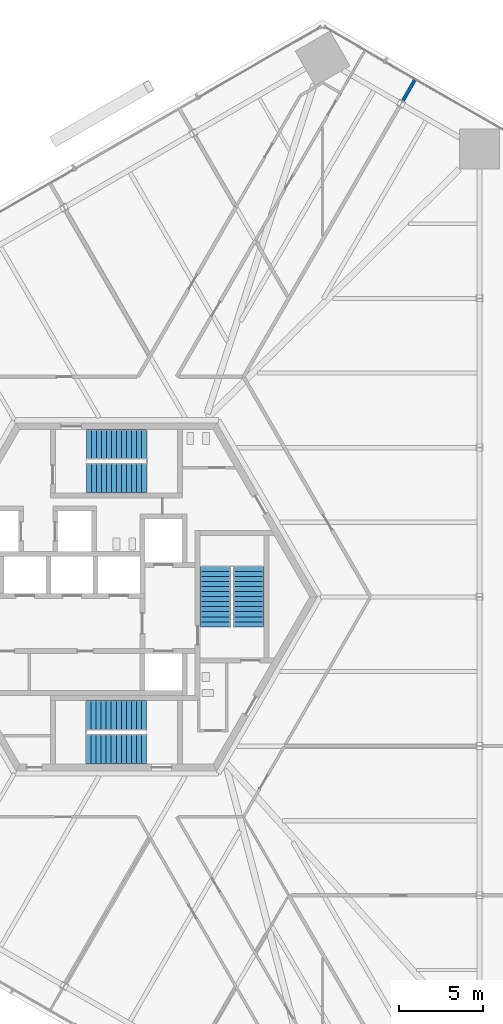
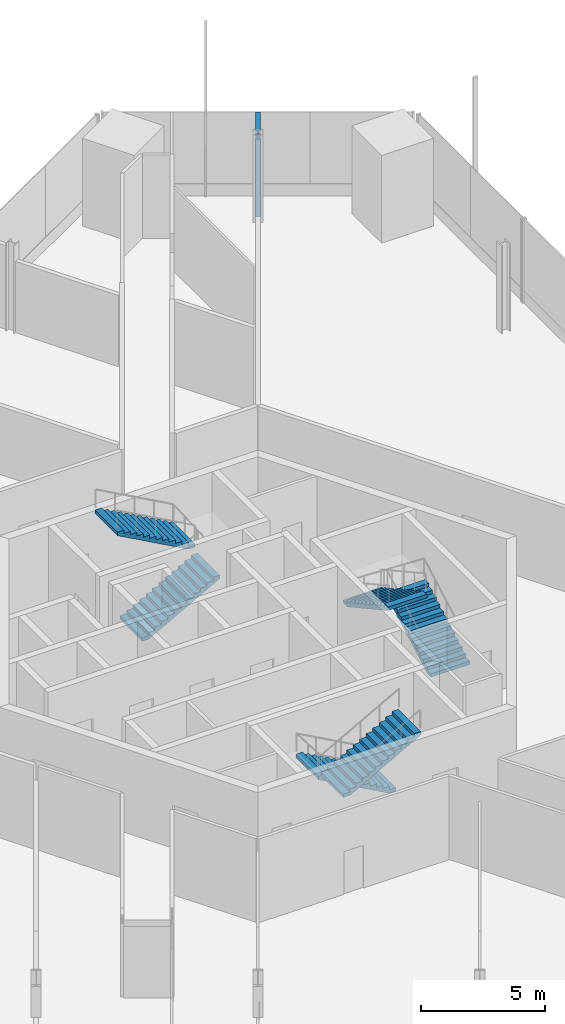
# One storey, part 14 of 19: 6 stair flights, 1 wall, 3 elements without a shape of their own.
"""IFC4 building model written with IfcOpenShell, lengths in metres."""

from ifc_helpers import new_model, si_unit, direction, frame, frame_2d, origin, place, context, subcontext, project, spatial, polyline, rectangle, outline, extrude, source, transform, mapped, material, layer, layer_set, type_object, element, aggregate, save


model = new_model("IFC4")

# Units and contexts
model_context = context("Model", 3, precision=1e-05, world=origin(), true_north=direction((0.0, 1.0)))
body_context = subcontext(model_context, "Body", "Model", "MODEL_VIEW")
ifc_project = project(units=[si_unit("LENGTHUNIT", "METRE"), si_unit("AREAUNIT", "SQUARE_METRE"), si_unit("VOLUMEUNIT", "CUBIC_METRE"), si_unit("PLANEANGLEUNIT", "RADIAN"), si_unit("MASSUNIT", "GRAM", prefix="KILO")], contexts=[model_context])

# Site, building, storey
site_placement = place(None, origin())
site = spatial("IfcSite", under=ifc_project, at=site_placement, CompositionType="ELEMENT")
building_placement = place(site_placement, origin())
building = spatial("IfcBuilding", under=site, at=building_placement, Name="Triune Harvest Tower", CompositionType="ELEMENT")
storey_placement = place(building_placement, frame((0.0, 0.0, 41.800048828125)))
storey = spatial("IfcBuildingStorey", under=building, at=storey_placement, Name="L09", CompositionType="ELEMENT", Elevation=41.800048828125)

# Wall
ifc_material_1 = material(Name="Gypsum board on steel studs", Category="steel")
ifc_layer = layer(ifc_material_1, 0.199951171875)
ifc_layer_set = layer_set([ifc_layer], Name="Gypsum board on steel studs")
wall_type = type_object("IfcWallType", Name="Fire Wall 200 mm", PredefinedType="PARTITIONING", material=ifc_layer_set)
shared_shape_1 = source(origin(), body_context, "Body", "SweptSolid", [
    extrude(rectangle(XDim=1.498779296875, YDim=0.199951171875, at=frame_2d((0.74951171875, 0.0))), origin(), (0.0, 0.0, 1.0), 4.099853515625),
])
wall_placement = place(storey_placement, frame((17.0908203125, 29.602294921875, 0.0), z_axis=(0.0, 0.0, 1.0), x_axis=(0.499905760005, 0.866079806435, 0.0)))
element("IfcWall", 1, at=wall_placement, inside=storey, type_object=wall_type, Name="Partition L09 048", PredefinedType="PARTITIONING", context=body_context, shape_type="MappedRepresentation", body=[
    mapped(shared_shape_1, transform((0.0, 0.0, 0.0), scale=1.0)),
])

# Stair, stair flights
ifc_material_2 = material(Name="Concrete 40 MPa", Category="concrete")
stair_type = type_object("IfcStairType", Name="Exit stair 1800 half turn", PredefinedType="HALF_TURN_STAIR", material=ifc_material_2)
stair_1_placement = place(storey_placement, origin())
stair_1 = element("IfcStair", 2, at=stair_1_placement, inside=storey, type_object=stair_type, Name="Exit stair north", PredefinedType="HALF_TURN_STAIR")
ifc_material_3 = material(Name="Concrete 40 MPa", Category="concrete")
stair_flight_type = type_object("IfcStairFlightType", Name="Stair flight 1800", PredefinedType="STRAIGHT", material=ifc_material_3)
shared_shape_2 = source(origin(), body_context, "Body", "SweptSolid", [
    extrude(outline(polyline([(0.0, 0.0), (0.0, 0.165283203125), (0.300048828125, 0.165283203125), (0.300048828125, 0.330810546875), (0.60009765625, 0.330810546875), (0.60009765625, 0.49609375), (0.89990234375, 0.49609375), (0.89990234375, 0.66162109375), (1.199951171875, 0.66162109375), (1.199951171875, 0.826904296875), (1.5, 0.826904296875), (1.5, 0.9921875), (1.800048828125, 0.9921875), (1.800048828125, 1.15771484375), (2.10009765625, 1.15771484375), (2.10009765625, 1.322998046875), (2.39990234375, 1.322998046875), (2.39990234375, 1.488525390625), (2.699951171875, 1.488525390625), (2.699951171875, 1.65380859375), (3.0, 1.65380859375), (3.0, 1.819091796875), (3.300048828125, 1.819091796875), (3.300048828125, 1.984619140625), (3.60009765625, 1.984619140625), (3.60009765625, 2.14990234375), (3.60009765625, 1.8134765625), (0.310546875, 0.0), (0.0, 0.0)])), frame((0.0, 0.89990234375, 0.0), z_axis=(0.0, -1.0, 0.0), x_axis=(1.0, 0.0, 0.0)), (0.0, 0.0, 1.0), 1.800048828125),
])
stair_flight_1_placement = place(storey_placement, frame((-1.7900390625, 7.090087890625, 0.0), z_axis=(0.0, 0.0, 1.0), x_axis=(1.0, 0.0, 0.0)))
stair_flight_1 = element("IfcStairFlight", 3, at=stair_flight_1_placement, type_object=stair_flight_type, Name="ST-1 flight 1", NumberOfRisers=13, NumberOfTreads=12, PredefinedType="STRAIGHT", RiserHeight=0.16538, TreadLength=0.3, context=body_context, shape_type="MappedRepresentation", body=[
    mapped(shared_shape_2, transform((0.0, 0.0, 0.0), scale=1.0)),
])
stair_flight_2_placement = place(storey_placement, frame((1.81005859375, 9.090087890625, 2.14990234375), z_axis=(0.0, 0.0, 1.0), x_axis=(-1.0, 0.0, 0.0)))
stair_flight_2 = element("IfcStairFlight", 4, at=stair_flight_2_placement, type_object=stair_flight_type, Name="ST-1 flight 2", NumberOfRisers=13, NumberOfTreads=12, PredefinedType="STRAIGHT", RiserHeight=0.16538, TreadLength=0.3, context=body_context, shape_type="MappedRepresentation", body=[
    mapped(shared_shape_2, transform((0.0, 0.0, 0.0), scale=1.0)),
])
aggregate(stair_1, [stair_flight_1, stair_flight_2])

stair_2_placement = place(storey_placement, origin())
stair_2 = element("IfcStair", 5, at=stair_2_placement, inside=storey, type_object=stair_type, Name="Exit stair south", PredefinedType="HALF_TURN_STAIR")
stair_flight_3_placement = place(storey_placement, frame((1.7900390625, -7.090087890625, 0.0), z_axis=(0.0, 0.0, 1.0), x_axis=(-1.0, 0.0, 0.0)))
stair_flight_3 = element("IfcStairFlight", 6, at=stair_flight_3_placement, type_object=stair_flight_type, Name="ST-2 flight 1", NumberOfRisers=13, NumberOfTreads=12, PredefinedType="STRAIGHT", RiserHeight=0.16538, TreadLength=0.3, context=body_context, shape_type="MappedRepresentation", body=[
    mapped(shared_shape_2, transform((0.0, 0.0, 0.0), scale=1.0)),
])
stair_flight_4_placement = place(storey_placement, frame((-1.81005859375, -9.090087890625, 2.14990234375), z_axis=(0.0, 0.0, 1.0), x_axis=(1.0, 0.0, 0.0)))
stair_flight_4 = element("IfcStairFlight", 7, at=stair_flight_4_placement, type_object=stair_flight_type, Name="ST-2 flight 2", NumberOfRisers=13, NumberOfTreads=12, PredefinedType="STRAIGHT", RiserHeight=0.16538, TreadLength=0.3, context=body_context, shape_type="MappedRepresentation", body=[
    mapped(shared_shape_2, transform((0.0, 0.0, 0.0), scale=1.0)),
])
aggregate(stair_2, [stair_flight_3, stair_flight_4])

stair_3_placement = place(storey_placement, origin())
stair_3 = element("IfcStair", 8, at=stair_3_placement, inside=storey, type_object=stair_type, Name="Exit stair east", PredefinedType="HALF_TURN_STAIR")
stair_flight_5_placement = place(storey_placement, frame((7.89990234375, -1.7900390625, 0.0), z_axis=(0.0, 0.0, 1.0), x_axis=(0.0, 1.0, 0.0)))
stair_flight_5 = element("IfcStairFlight", 9, at=stair_flight_5_placement, type_object=stair_flight_type, Name="ST-3 flight 1", NumberOfRisers=13, NumberOfTreads=12, PredefinedType="STRAIGHT", RiserHeight=0.16538, TreadLength=0.3, context=body_context, shape_type="MappedRepresentation", body=[
    mapped(shared_shape_2, transform((0.0, 0.0, 0.0), scale=1.0)),
])
stair_flight_6_placement = place(storey_placement, frame((5.89990234375, 1.81005859375, 2.14990234375), z_axis=(0.0, 0.0, 1.0), x_axis=(0.0, -1.0, 0.0)))
stair_flight_6 = element("IfcStairFlight", 10, at=stair_flight_6_placement, type_object=stair_flight_type, Name="ST-3 flight 2", NumberOfRisers=13, NumberOfTreads=12, PredefinedType="STRAIGHT", RiserHeight=0.16538, TreadLength=0.3, context=body_context, shape_type="MappedRepresentation", body=[
    mapped(shared_shape_2, transform((0.0, 0.0, 0.0), scale=1.0)),
])
aggregate(stair_3, [stair_flight_5, stair_flight_6])

save(model, "model.ifc")
